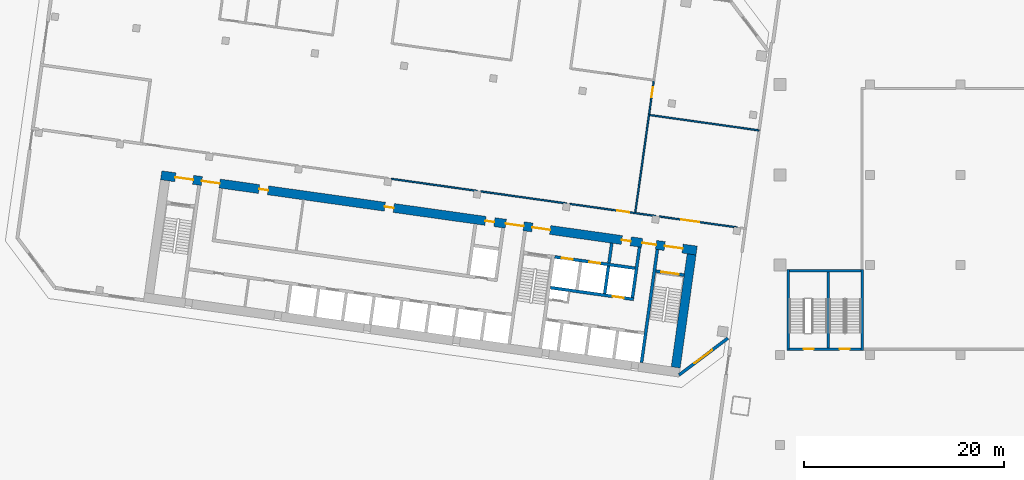
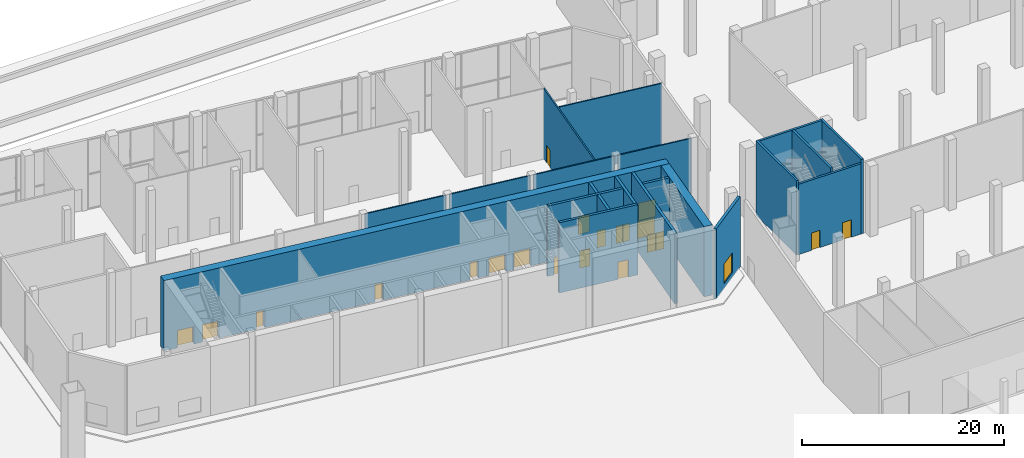
# One storey, part 20 of 34: 21 walls, 19 doors, 1 window, 20 openings.
"""IFC4 building model written with IfcOpenShell, lengths in metres."""

from ifc_helpers import new_model, si_unit, direction, frame, frame_2d, origin, place, context, subcontext, project, spatial, rectangle, extrude, material, layer, layer_set, type_object, element, fill, save


model = new_model("IFC4")

# Units and contexts
model_context = context("Model", 3, precision=1e-05, world=origin(), true_north=direction((0.0, 1.0)))
body_context = subcontext(model_context, "Body", "Model", "MODEL_VIEW")
ifc_project = project(units=[si_unit("LENGTHUNIT", "METRE"), si_unit("AREAUNIT", "SQUARE_METRE"), si_unit("VOLUMEUNIT", "CUBIC_METRE"), si_unit("PLANEANGLEUNIT", "RADIAN"), si_unit("MASSUNIT", "GRAM", prefix="KILO")], contexts=[model_context])

# Site, building, storey
site_placement = place(None, origin())
site = spatial("IfcSite", under=ifc_project, at=site_placement, CompositionType="ELEMENT")
building_placement = place(site_placement, origin())
building = spatial("IfcBuilding", under=site, at=building_placement, Name="Mirante Cascada Hotel Towers", CompositionType="ELEMENT")
storey_placement = place(building_placement, origin())
storey = spatial("IfcBuildingStorey", under=building, at=storey_placement, Name="L00", CompositionType="ELEMENT", Elevation=0.0)

# Wall
ifc_material_1 = material(Name="Masonry block", Category="masonry")
ifc_layer_1 = layer(ifc_material_1, 0.3)
ifc_layer_set_1 = layer_set([ifc_layer_1], Name="Core wall 300 block EI 120")
wall_type_1 = type_object("IfcWallType", Name="Core wall 300 block EI 120", PredefinedType="PARTITIONING", material=ifc_layer_set_1)
wall_1_placement = place(storey_placement, frame((-44.0843, -8.8061, 0.0), z_axis=(0.0, 0.0, 1.0), x_axis=(0.1391951, 0.990265, 0.0)))
element("IfcWall", 1, at=wall_1_placement, inside=storey, type_object=wall_type_1, Name="Core wall partition T1 L00 1", PredefinedType="PARTITIONING", context=body_context, shape_type="SweptSolid", body=[
    extrude(rectangle(XDim=2.0001, YDim=0.3, at=frame_2d((1.0001, 0.0))), origin(), (0.0, 0.0, 1.0), 8.5),
])

# Wall, opening, door
ifc_material_2 = material(Name="Masonry block", Category="masonry")
ifc_layer_2 = layer(ifc_material_2, 0.15)
ifc_layer_set_2 = layer_set([ifc_layer_2], Name="Corridor wall 150 block")
wall_type_2 = type_object("IfcWallType", Name="Corridor wall 150 block", PredefinedType="PARTITIONING", material=ifc_layer_set_2)
wall_2_placement = place(storey_placement, frame((-41.4547, -3.7478, 0.0), z_axis=(0.0, 0.0, 1.0), x_axis=(0.1391716, 0.9902683, 0.0)))
wall_2 = element("IfcWall", 2, at=wall_2_placement, inside=storey, type_object=wall_type_2, Name="Corridor wall T1 L00", PredefinedType="PARTITIONING", context=body_context, shape_type="SweptSolid", body=[
    extrude(rectangle(XDim=13.4, YDim=0.15, at=frame_2d((6.7, 0.0))), origin(), (0.0, 0.0, 1.0), 8.5),
])
opening_1_placement = place(wall_2_placement, frame((11.625, 0.0, 0.0)))
opening_1 = element("IfcOpeningElement", 3, at=opening_1_placement, cuts=wall_2, Name="Opening DP1-L00-04", PredefinedType="OPENING", context=body_context, shape_type="SweptSolid", body=[
    extrude(rectangle(XDim=1.0, YDim=2.1, at=frame_2d((0.5, 1.05))), frame((0.0, 0.075, 0.0), z_axis=(0.0, -1.0, 0.0), x_axis=(1.0, 0.0, 0.0)), (0.0, 0.0, 1.0), 0.15),
])
ifc_material_3 = material(Name="Timber door leaf", Category="wood")
door_type_1 = type_object("IfcDoorType", Name="Single door 1000x2100", OperationType="NOTDEFINED", PredefinedType="DOOR", material=ifc_material_3)
door_1_placement = place(opening_1_placement, frame((1.0, 0.0, 0.0), z_axis=(0.0, 0.0, 1.0), x_axis=(-1.0, 0.0, 0.0)))
door_1 = element("IfcDoor", 4, at=door_1_placement, inside=storey, type_object=door_type_1, Name="Door DP1-L00-04", OperationType="SINGLE_SWING_RIGHT", OverallHeight=2.1, OverallWidth=1.0, PredefinedType="DOOR", context=body_context, shape_type="SweptSolid", body=[
    extrude(rectangle(XDim=1.0, YDim=2.1, at=frame_2d((0.5, 1.05))), frame((0.0, 0.025, 0.0), z_axis=(0.0, -1.0, 0.0), x_axis=(1.0, 0.0, 0.0)), (0.0, 0.0, 1.0), 0.05),
])
fill(opening_1, door_1)

# Walls
ifc_material_4 = material(Name="Masonry block", Category="masonry")
ifc_layer_3 = layer(ifc_material_4, 0.15)
ifc_layer_set_3 = layer_set([ifc_layer_3], Name="Exit passage wall 150 block EI 120")
wall_type_3 = type_object("IfcWallType", Name="Exit passage wall 150 block EI 120", PredefinedType="PARTITIONING", material=ifc_layer_set_3)
wall_3_placement = place(storey_placement, frame((-65.8216, -0.399, 0.0), z_axis=(0.0, 0.0, 1.0), x_axis=(0.9902682, -0.139172, 0.0)))
element("IfcWall", 5, at=wall_3_placement, inside=storey, type_object=wall_type_3, Name="Exit passage wall T1 L00", PredefinedType="PARTITIONING", context=body_context, shape_type="SweptSolid", body=[
    extrude(rectangle(XDim=8.6713, YDim=0.15, at=frame_2d((4.3356, 0.0))), origin(), (0.0, 0.0, 1.0), 8.5),
])
wall_4_placement = place(storey_placement, frame((-56.9091, -1.6516, 0.0), z_axis=(0.0, 0.0, 1.0), x_axis=(0.990268, -0.1391735, 0.0)))
element("IfcWall", 6, at=wall_4_placement, inside=storey, type_object=wall_type_3, Name="Exit passage wall T1 L00", PredefinedType="PARTITIONING", context=body_context, shape_type="SweptSolid", body=[
    extrude(rectangle(XDim=8.6712, YDim=0.15, at=frame_2d((4.3356, 0.0))), origin(), (0.0, 0.0, 1.0), 8.5),
])

# Wall, opening, door
wall_5_placement = place(storey_placement, frame((-47.9967, -2.9041, 0.0), z_axis=(0.0, 0.0, 1.0), x_axis=(0.990268, -0.1391735, 0.0)))
wall_5 = element("IfcWall", 7, at=wall_5_placement, inside=storey, type_object=wall_type_3, Name="Exit passage wall T1 L00", PredefinedType="PARTITIONING", context=body_context, shape_type="SweptSolid", body=[
    extrude(rectangle(XDim=8.6712, YDim=0.15, at=frame_2d((4.3356, 0.0))), origin(), (0.0, 0.0, 1.0), 8.5),
])
opening_2_placement = place(wall_5_placement, frame((4.7958, 0.0, 0.0)))
opening_2 = element("IfcOpeningElement", 8, at=opening_2_placement, cuts=wall_5, Name="Opening DP1-L00-01", PredefinedType="OPENING", context=body_context, shape_type="SweptSolid", body=[
    extrude(rectangle(XDim=1.2, YDim=2.1, at=frame_2d((0.6, 1.05))), frame((0.0, 0.075, 0.0), z_axis=(0.0, -1.0, 0.0), x_axis=(1.0, 0.0, 0.0)), (0.0, 0.0, 1.0), 0.15),
])
ifc_material_5 = material(Name="Hollow metal fire door leaf")
door_type_2 = type_object("IfcDoorType", Name="Fire door 1200x2100 FD60", OperationType="NOTDEFINED", PredefinedType="DOOR", material=ifc_material_5)
door_2_placement = place(opening_2_placement, frame((1.2, 0.0, 0.0), z_axis=(0.0, 0.0, 1.0), x_axis=(-1.0, 0.0, 0.0)))
door_2 = element("IfcDoor", 9, at=door_2_placement, inside=storey, type_object=door_type_2, Name="Door DP1-L00-01", OperationType="SINGLE_SWING_LEFT", OverallHeight=2.1, OverallWidth=1.2, PredefinedType="DOOR", context=body_context, shape_type="SweptSolid", body=[
    extrude(rectangle(XDim=1.2, YDim=2.1, at=frame_2d((0.6, 1.05))), frame((0.0, 0.025, 0.0), z_axis=(0.0, -1.0, 0.0), x_axis=(1.0, 0.0, 0.0)), (0.0, 0.0, 1.0), 0.05),
])
fill(opening_2, door_2)

wall_6_placement = place(storey_placement, frame((-39.0843, -4.1567, 0.0), z_axis=(0.0, 0.0, 1.0), x_axis=(0.9902676, -0.1391764, 0.0)))
wall_6 = element("IfcWall", 10, at=wall_6_placement, inside=storey, type_object=wall_type_3, Name="Exit passage wall T1 L00", PredefinedType="PARTITIONING", context=body_context, shape_type="SweptSolid", body=[
    extrude(rectangle(XDim=7.8713, YDim=0.15, at=frame_2d((3.9356, 0.0))), origin(), (0.0, 0.0, 1.0), 8.5),
])
opening_3_placement = place(wall_6_placement, frame((2.2458, 0.0, 0.0)))
opening_3 = element("IfcOpeningElement", 11, at=opening_3_placement, cuts=wall_6, Name="Opening DP1-L00-03", PredefinedType="OPENING", context=body_context, shape_type="SweptSolid", body=[
    extrude(rectangle(XDim=1.8, YDim=2.1, at=frame_2d((0.9, 1.05))), frame((0.0, 0.075, 0.0), z_axis=(0.0, -1.0, 0.0), x_axis=(1.0, 0.0, 0.0)), (0.0, 0.0, 1.0), 0.15),
])
ifc_material_6 = material(Name="Hollow metal fire door leaf")
door_type_3 = type_object("IfcDoorType", Name="Double door 1800x2100 FD60", OperationType="DOUBLE_DOOR_SINGLE_SWING", PredefinedType="DOOR", material=ifc_material_6)
door_3_placement = place(opening_3_placement, origin())
door_3 = element("IfcDoor", 12, at=door_3_placement, inside=storey, type_object=door_type_3, Name="Door DP1-L00-03", OperationType="DOUBLE_DOOR_SINGLE_SWING", OverallHeight=2.1, OverallWidth=1.8, PredefinedType="DOOR", context=body_context, shape_type="SweptSolid", body=[
    extrude(rectangle(XDim=0.895, YDim=2.1, at=frame_2d((0.4475, 1.05))), frame((0.0, 0.025, 0.0), z_axis=(0.0, -1.0, 0.0), x_axis=(1.0, 0.0, 0.0)), (0.0, 0.0, 1.0), 0.05),
    extrude(rectangle(XDim=0.895, YDim=2.1, at=frame_2d((1.3525, 1.05))), frame((0.0, 0.025, 0.0), z_axis=(0.0, -1.0, 0.0), x_axis=(1.0, 0.0, 0.0)), (0.0, 0.0, 1.0), 0.05),
])
fill(opening_3, door_3)

# Wall
ifc_material_7 = material(Name="Masonry block", Category="masonry")
ifc_layer_4 = layer(ifc_material_7, 0.15)
ifc_layer_set_4 = layer_set([ifc_layer_4], Name="Partition 150 block")
wall_type_4 = type_object("IfcWallType", Name="Partition 150 block", PredefinedType="PARTITIONING", material=ifc_layer_set_4)
wall_7_placement = place(storey_placement, frame((-40.0131, 5.9711, 0.0), z_axis=(0.0, 0.0, 1.0), x_axis=(0.9902679, -0.1391746, 0.0)))
element("IfcWall", 13, at=wall_7_placement, inside=storey, type_object=wall_type_4, Name="Partition T1 L00", PredefinedType="PARTITIONING", context=body_context, shape_type="SweptSolid", body=[
    extrude(rectangle(XDim=11.025, YDim=0.15, at=frame_2d((5.5125, 0.0))), origin(), (0.0, 0.0, 1.0), 8.5),
])

# Wall, opening, window
ifc_material_8 = material(Name="Precast concrete C40/50", Category="concrete")
ifc_layer_5 = layer(ifc_material_8, 0.3)
ifc_layer_set_5 = layer_set([ifc_layer_5], Name="Precast concrete C40/50 cladding wall 300")
wall_type_5 = type_object("IfcWallType", Name="Precast concrete C40/50 cladding wall 300", PredefinedType="STANDARD", material=ifc_layer_set_5)
wall_8_placement = place(storey_placement, frame((-32.2074, -16.3138, 0.0), z_axis=(0.0, 0.0, 1.0), x_axis=(-0.7986362, -0.6018141, 0.0)))
wall_8 = element("IfcWall", 14, at=wall_8_placement, inside=storey, type_object=wall_type_5, Name="Corner cladding wall T1 L00 inner rear", PredefinedType="STANDARD", context=body_context, shape_type="SweptSolid", body=[
    extrude(rectangle(XDim=6.1157, YDim=0.3, at=frame_2d((3.0578, 0.0))), origin(), (0.0, 0.0, 1.0), 8.5),
])
opening_4_placement = place(wall_8_placement, frame((1.9578, 0.0, 0.6)))
opening_4 = element("IfcOpeningElement", 15, at=opening_4_placement, cuts=wall_8, Name="Opening W1-00-05", PredefinedType="OPENING", context=body_context, shape_type="SweptSolid", body=[
    extrude(rectangle(XDim=2.2, YDim=2.4, at=frame_2d((1.1, 1.2))), frame((0.0, 0.15, 0.0), z_axis=(0.0, -1.0, 0.0), x_axis=(1.0, 0.0, 0.0)), (0.0, 0.0, 1.0), 0.3),
])
ifc_material_9 = material(Name="Aluminium frame with clear double glazing", Category="aluminium")
window_type = type_object("IfcWindowType", Name="Corner suite window 2200x2400", PartitioningType="DOUBLE_PANEL_VERTICAL", PredefinedType="WINDOW", material=ifc_material_9)
window_placement = place(opening_4_placement, origin())
window = element("IfcWindow", 16, at=window_placement, inside=storey, type_object=window_type, Name="Window W1-00-05", OverallHeight=2.4, OverallWidth=2.2, PartitioningType="SINGLE_PANEL", PredefinedType="WINDOW", context=body_context, shape_type="SweptSolid", body=[
    extrude(rectangle(XDim=2.2, YDim=2.4, at=frame_2d((1.1, 1.2))), frame((0.0, 0.03, 0.0), z_axis=(0.0, -1.0, 0.0), x_axis=(1.0, 0.0, 0.0)), (0.0, 0.0, 1.0), 0.06),
])
fill(opening_4, window)

# Wall
ifc_material_10 = material(Name="Concrete C50/60", Category="concrete")
ifc_layer_6 = layer(ifc_material_10, 0.3)
ifc_layer_set_6 = layer_set([ifc_layer_6], Name="RC core wall 300 C50/60")
wall_type_6 = type_object("IfcWallType", Name="RC core wall 300 C50/60", PredefinedType="SHEAR", material=ifc_layer_set_6)
wall_9_placement = place(storey_placement, frame((-40.8373, -18.7548, 0.0), z_axis=(0.0, 0.0, 1.0), x_axis=(0.1391749, 0.9902678, 0.0)))
element("IfcWall", 17, at=wall_9_placement, inside=storey, type_object=wall_type_6, Name="Core wall T1:L00:5", PredefinedType="SHEAR", context=body_context, shape_type="SweptSolid", body=[
    extrude(rectangle(XDim=11.4, YDim=0.3, at=frame_2d((5.7, 0.0))), origin(), (0.0, 0.0, 1.0), 8.5),
])

# Wall, opening, door
wall_10_placement = place(storey_placement, frame((-36.5791, -10.0123, 0.0), z_axis=(0.0, 0.0, 1.0), x_axis=(-0.9902704, 0.1391564, 0.0)))
wall_10 = element("IfcWall", 18, at=wall_10_placement, inside=storey, type_object=wall_type_6, Name="Core wall T1:L00:9", PredefinedType="SHEAR", context=body_context, shape_type="SweptSolid", body=[
    extrude(rectangle(XDim=2.85, YDim=0.3, at=frame_2d((1.425, 0.0))), origin(), (0.0, 0.0, 1.0), 8.5),
])
opening_5_placement = place(wall_10_placement, frame((0.525, 0.0, 0.0)))
opening_5 = element("IfcOpeningElement", 19, at=opening_5_placement, cuts=wall_10, Name="Opening D1-00-C16", PredefinedType="OPENING", context=body_context, shape_type="SweptSolid", body=[
    extrude(rectangle(XDim=1.8, YDim=2.1, at=frame_2d((0.9, 1.05))), frame((0.0, 0.15, 0.0), z_axis=(0.0, -1.0, 0.0), x_axis=(1.0, 0.0, 0.0)), (0.0, 0.0, 1.0), 0.3),
])
ifc_material_11 = material(Name="Hollow metal fire door leaf")
door_type_4 = type_object("IfcDoorType", Name="Double fire door 1800x2100 FD60", OperationType="DOUBLE_DOOR_SINGLE_SWING", PredefinedType="DOOR", material=ifc_material_11)
door_4_placement = place(opening_5_placement, origin())
door_4 = element("IfcDoor", 20, at=door_4_placement, inside=storey, type_object=door_type_4, Name="Stair door T1 L00 16", OperationType="DOUBLE_DOOR_SINGLE_SWING", OverallHeight=2.1, OverallWidth=1.8, PredefinedType="DOOR", context=body_context, shape_type="SweptSolid", body=[
    extrude(rectangle(XDim=0.895, YDim=2.1, at=frame_2d((0.4475, 1.05))), frame((0.0, 0.025, 0.0), z_axis=(0.0, -1.0, 0.0), x_axis=(1.0, 0.0, 0.0)), (0.0, 0.0, 1.0), 0.05),
    extrude(rectangle(XDim=0.895, YDim=2.1, at=frame_2d((1.3525, 1.05))), frame((0.0, 0.025, 0.0), z_axis=(0.0, -1.0, 0.0), x_axis=(1.0, 0.0, 0.0)), (0.0, 0.0, 1.0), 0.05),
])
fill(opening_5, door_4)

wall_11_placement = place(storey_placement, frame((-41.6153, -12.435, 0.0), z_axis=(0.0, 0.0, 1.0), x_axis=(-0.9902691, 0.139166, 0.0)))
wall_11 = element("IfcWall", 21, at=wall_11_placement, inside=storey, type_object=wall_type_6, Name="Core wall T1:L00:13", PredefinedType="SHEAR", context=body_context, shape_type="SweptSolid", body=[
    extrude(rectangle(XDim=8.4, YDim=0.3, at=frame_2d((4.2, 0.0))), origin(), (0.0, 0.0, 1.0), 8.5),
])
opening_6_placement = place(wall_11_placement, frame((1.0, 0.0, 0.0)))
opening_6 = element("IfcOpeningElement", 22, at=opening_6_placement, cuts=wall_11, Name="Opening LD", PredefinedType="OPENING", context=body_context, shape_type="SweptSolid", body=[
    extrude(rectangle(XDim=1.1, YDim=2.1, at=frame_2d((0.55, 1.05))), frame((0.0, 0.15, 0.0), z_axis=(0.0, -1.0, 0.0), x_axis=(1.0, 0.0, 0.0)), (0.0, 0.0, 1.0), 0.3),
])
ifc_material_12 = material(Name="Stainless steel", Category="steel")
door_type_5 = type_object("IfcDoorType", Name="Lift landing door 1100x2100 EI 120", OperationType="DOUBLE_DOOR_SLIDING", PredefinedType="DOOR", material=ifc_material_12)
door_5_placement = place(opening_6_placement, origin())
door_5 = element("IfcDoor", 23, at=door_5_placement, inside=storey, type_object=door_type_5, Name="Lift landing door HR1-4 L00", OperationType="DOUBLE_DOOR_SLIDING", OverallHeight=2.1, OverallWidth=1.1, PredefinedType="DOOR", context=body_context, shape_type="SweptSolid", body=[
    extrude(rectangle(XDim=0.545, YDim=2.1, at=frame_2d((0.2725, 1.05))), frame((0.0, 0.025, 0.0), z_axis=(0.0, -1.0, 0.0), x_axis=(1.0, 0.0, 0.0)), (0.0, 0.0, 1.0), 0.05),
    extrude(rectangle(XDim=0.545, YDim=2.1, at=frame_2d((0.8275, 1.05))), frame((0.0, 0.025, 0.0), z_axis=(0.0, -1.0, 0.0), x_axis=(1.0, 0.0, 0.0)), (0.0, 0.0, 1.0), 0.05),
])
fill(opening_6, door_5)

# Wall, openings, doors
wall_12_placement = place(storey_placement, frame((-41.481, -9.3234, 0.0), z_axis=(0.0, 0.0, 1.0), x_axis=(-0.9902679, 0.1391741, 0.0)))
wall_12 = element("IfcWall", 24, at=wall_12_placement, inside=storey, type_object=wall_type_6, Name="Core wall T1:L00:14", PredefinedType="SHEAR", context=body_context, shape_type="SweptSolid", body=[
    extrude(rectangle(XDim=8.0999, YDim=0.3, at=frame_2d((4.05, 0.0))), origin(), (0.0, 0.0, 1.0), 8.5),
])
opening_7_placement = place(wall_12_placement, frame((3.5, 0.0, 0.0)))
opening_7 = element("IfcOpeningElement", 25, at=opening_7_placement, cuts=wall_12, Name="Opening LD", PredefinedType="OPENING", context=body_context, shape_type="SweptSolid", body=[
    extrude(rectangle(XDim=1.1, YDim=2.1, at=frame_2d((0.55, 1.05))), frame((0.0, 0.15, 0.0), z_axis=(0.0, -1.0, 0.0), x_axis=(1.0, 0.0, 0.0)), (0.0, 0.0, 1.0), 0.3),
])
opening_8_placement = place(wall_12_placement, frame((6.3, 0.0, 0.0)))
opening_8 = element("IfcOpeningElement", 26, at=opening_8_placement, cuts=wall_12, Name="Opening LD", PredefinedType="OPENING", context=body_context, shape_type="SweptSolid", body=[
    extrude(rectangle(XDim=1.1, YDim=2.1, at=frame_2d((0.55, 1.05))), frame((0.0, 0.15, 0.0), z_axis=(0.0, -1.0, 0.0), x_axis=(1.0, 0.0, 0.0)), (0.0, 0.0, 1.0), 0.3),
])
door_6_placement = place(opening_7_placement, origin())
door_6 = element("IfcDoor", 27, at=door_6_placement, inside=storey, type_object=door_type_5, Name="Lift landing door FF1 L00", OperationType="DOUBLE_DOOR_SLIDING", OverallHeight=2.1, OverallWidth=1.1, PredefinedType="DOOR", context=body_context, shape_type="SweptSolid", body=[
    extrude(rectangle(XDim=0.545, YDim=2.1, at=frame_2d((0.2725, 1.05))), frame((0.0, 0.025, 0.0), z_axis=(0.0, -1.0, 0.0), x_axis=(1.0, 0.0, 0.0)), (0.0, 0.0, 1.0), 0.05),
    extrude(rectangle(XDim=0.545, YDim=2.1, at=frame_2d((0.8275, 1.05))), frame((0.0, 0.025, 0.0), z_axis=(0.0, -1.0, 0.0), x_axis=(1.0, 0.0, 0.0)), (0.0, 0.0, 1.0), 0.05),
])
fill(opening_7, door_6)
door_7_placement = place(opening_8_placement, origin())
door_7 = element("IfcDoor", 28, at=door_7_placement, inside=storey, type_object=door_type_5, Name="Lift landing door FF2 L00", OperationType="DOUBLE_DOOR_SLIDING", OverallHeight=2.1, OverallWidth=1.1, PredefinedType="DOOR", context=body_context, shape_type="SweptSolid", body=[
    extrude(rectangle(XDim=0.545, YDim=2.1, at=frame_2d((0.2725, 1.05))), frame((0.0, 0.025, 0.0), z_axis=(0.0, -1.0, 0.0), x_axis=(1.0, 0.0, 0.0)), (0.0, 0.0, 1.0), 0.05),
    extrude(rectangle(XDim=0.545, YDim=2.1, at=frame_2d((0.8275, 1.05))), frame((0.0, 0.025, 0.0), z_axis=(0.0, -1.0, 0.0), x_axis=(1.0, 0.0, 0.0)), (0.0, 0.0, 1.0), 0.05),
])
fill(opening_8, door_7)

# Walls
wall_13_placement = place(storey_placement, frame((-44.5157, -11.8759, 0.0), z_axis=(0.0, 0.0, 1.0), x_axis=(0.139181, 0.990267, 0.0)))
element("IfcWall", 29, at=wall_13_placement, inside=storey, type_object=wall_type_6, Name="Core wall T1:L00:18", PredefinedType="SHEAR", context=body_context, shape_type="SweptSolid", body=[
    extrude(rectangle(XDim=2.8, YDim=0.3, at=frame_2d((1.4, 0.0))), origin(), (0.0, 0.0, 1.0), 8.5),
])
wall_14_placement = place(storey_placement, frame((-41.743, -12.2656, 0.0), z_axis=(0.0, 0.0, 1.0), x_axis=(0.1391755, 0.9902677, 0.0)))
element("IfcWall", 30, at=wall_14_placement, inside=storey, type_object=wall_type_6, Name="Core wall T1:L00:20", PredefinedType="SHEAR", context=body_context, shape_type="SweptSolid", body=[
    extrude(rectangle(XDim=5.1, YDim=0.3, at=frame_2d((2.55, 0.0))), origin(), (0.0, 0.0, 1.0), 8.5),
])

# Wall, openings, doors
ifc_material_13 = material(Name="Concrete C50/60", Category="concrete")
ifc_layer_7 = layer(ifc_material_13, 0.9)
ifc_layer_set_7 = layer_set([ifc_layer_7], Name="RC core wall 900 C50/60")
wall_type_7 = type_object("IfcWallType", Name="RC core wall 900 C50/60", PredefinedType="SHEAR", material=ifc_layer_set_7)
wall_15_placement = place(storey_placement, frame((-35.326, -7.5629, 0.0), z_axis=(0.0, 0.0, 1.0), x_axis=(-0.9902679, 0.139174, 0.0)))
wall_15 = element("IfcWall", 31, at=wall_15_placement, inside=storey, type_object=wall_type_7, Name="Core wall T1:L00:2", PredefinedType="SHEAR", context=body_context, shape_type="SweptSolid", body=[
    extrude(rectangle(XDim=54.0, YDim=0.9, at=frame_2d((27.0, 0.0))), origin(), (0.0, 0.0, 1.0), 8.5),
])
opening_9_placement = place(wall_15_placement, frame((1.425, 0.0, 0.0)))
opening_9 = element("IfcOpeningElement", 32, at=opening_9_placement, cuts=wall_15, Name="Opening D1-00-C17", PredefinedType="OPENING", context=body_context, shape_type="SweptSolid", body=[
    extrude(rectangle(XDim=1.8, YDim=2.1, at=frame_2d((0.9, 1.05))), frame((0.0, 0.45, 0.0), z_axis=(0.0, -1.0, 0.0), x_axis=(1.0, 0.0, 0.0)), (0.0, 0.0, 1.0), 0.9),
])
opening_10_placement = place(wall_15_placement, frame((14.775, 0.0, 0.0)))
opening_10 = element("IfcOpeningElement", 33, at=opening_10_placement, cuts=wall_15, Name="Opening D1-00-C19", PredefinedType="OPENING", context=body_context, shape_type="SweptSolid", body=[
    extrude(rectangle(XDim=1.8, YDim=2.1, at=frame_2d((0.9, 1.05))), frame((0.0, 0.45, 0.0), z_axis=(0.0, -1.0, 0.0), x_axis=(1.0, 0.0, 0.0)), (0.0, 0.0, 1.0), 0.9),
])
opening_11_placement = place(wall_15_placement, frame((50.775, 0.0, 0.0)))
opening_11 = element("IfcOpeningElement", 34, at=opening_11_placement, cuts=wall_15, Name="Opening D1-00-C21", PredefinedType="OPENING", context=body_context, shape_type="SweptSolid", body=[
    extrude(rectangle(XDim=1.8, YDim=2.1, at=frame_2d((0.9, 1.05))), frame((0.0, 0.45, 0.0), z_axis=(0.0, -1.0, 0.0), x_axis=(1.0, 0.0, 0.0)), (0.0, 0.0, 1.0), 0.9),
])
opening_12_placement = place(wall_15_placement, frame((4.1, 0.0, 0.0)))
opening_12 = element("IfcOpeningElement", 35, at=opening_12_placement, cuts=wall_15, Name="Opening D1-00-C22", PredefinedType="OPENING", context=body_context, shape_type="SweptSolid", body=[
    extrude(rectangle(XDim=1.4, YDim=2.1, at=frame_2d((0.7, 1.05))), frame((0.0, 0.45, 0.0), z_axis=(0.0, -1.0, 0.0), x_axis=(1.0, 0.0, 0.0)), (0.0, 0.0, 1.0), 0.9),
])
opening_13_placement = place(wall_15_placement, frame((17.45, 0.0, 0.0)))
opening_13 = element("IfcOpeningElement", 36, at=opening_13_placement, cuts=wall_15, Name="Opening D1-00-C23", PredefinedType="OPENING", context=body_context, shape_type="SweptSolid", body=[
    extrude(rectangle(XDim=1.8, YDim=2.1, at=frame_2d((0.9, 1.05))), frame((0.0, 0.45, 0.0), z_axis=(0.0, -1.0, 0.0), x_axis=(1.0, 0.0, 0.0)), (0.0, 0.0, 1.0), 0.9),
])
opening_14_placement = place(wall_15_placement, frame((48.1, 0.0, 0.0)))
opening_14 = element("IfcOpeningElement", 37, at=opening_14_placement, cuts=wall_15, Name="Opening D1-00-C24", PredefinedType="OPENING", context=body_context, shape_type="SweptSolid", body=[
    extrude(rectangle(XDim=1.8, YDim=2.1, at=frame_2d((0.9, 1.05))), frame((0.0, 0.45, 0.0), z_axis=(0.0, -1.0, 0.0), x_axis=(1.0, 0.0, 0.0)), (0.0, 0.0, 1.0), 0.9),
])
opening_15_placement = place(wall_15_placement, frame((6.65, 0.0, 0.0)))
opening_15 = element("IfcOpeningElement", 38, at=opening_15_placement, cuts=wall_15, Name="Opening D1-00-C27", PredefinedType="OPENING", context=body_context, shape_type="SweptSolid", body=[
    extrude(rectangle(XDim=0.9, YDim=2.1, at=frame_2d((0.45, 1.05))), frame((0.0, 0.45, 0.0), z_axis=(0.0, -1.0, 0.0), x_axis=(1.0, 0.0, 0.0)), (0.0, 0.0, 1.0), 0.9),
])
opening_16_placement = place(wall_15_placement, frame((20.4, 0.0, 0.0)))
opening_16 = element("IfcOpeningElement", 39, at=opening_16_placement, cuts=wall_15, Name="Opening D1-00-C30", PredefinedType="OPENING", context=body_context, shape_type="SweptSolid", body=[
    extrude(rectangle(XDim=0.9, YDim=2.1, at=frame_2d((0.45, 1.05))), frame((0.0, 0.45, 0.0), z_axis=(0.0, -1.0, 0.0), x_axis=(1.0, 0.0, 0.0)), (0.0, 0.0, 1.0), 0.9),
])
opening_17_placement = place(wall_15_placement, frame((30.55, 0.0, 0.0)))
opening_17 = element("IfcOpeningElement", 40, at=opening_17_placement, cuts=wall_15, Name="Opening D1-00-C31", PredefinedType="OPENING", context=body_context, shape_type="SweptSolid", body=[
    extrude(rectangle(XDim=0.9, YDim=2.1, at=frame_2d((0.45, 1.05))), frame((0.0, 0.45, 0.0), z_axis=(0.0, -1.0, 0.0), x_axis=(1.0, 0.0, 0.0)), (0.0, 0.0, 1.0), 0.9),
])
opening_18_placement = place(wall_15_placement, frame((43.225, 0.0, 0.0)))
opening_18 = element("IfcOpeningElement", 41, at=opening_18_placement, cuts=wall_15, Name="Opening D1-00-C32", PredefinedType="OPENING", context=body_context, shape_type="SweptSolid", body=[
    extrude(rectangle(XDim=0.9, YDim=2.1, at=frame_2d((0.45, 1.05))), frame((0.0, 0.45, 0.0), z_axis=(0.0, -1.0, 0.0), x_axis=(1.0, 0.0, 0.0)), (0.0, 0.0, 1.0), 0.9),
])
ifc_material_14 = material(Name="Hollow metal fire door leaf")
door_type_6 = type_object("IfcDoorType", Name="Double fire door 1400x2100 FD60", OperationType="DOUBLE_DOOR_SINGLE_SWING", PredefinedType="DOOR", material=ifc_material_14)
door_8_placement = place(opening_12_placement, frame((1.4, 0.0, 0.0), z_axis=(0.0, 0.0, 1.0), x_axis=(-1.0, 0.0, 0.0)))
door_8 = element("IfcDoor", 42, at=door_8_placement, inside=storey, type_object=door_type_6, Name="Exit door to gallery T1 L00 22", OperationType="DOUBLE_DOOR_SINGLE_SWING", OverallHeight=2.1, OverallWidth=1.4, PredefinedType="DOOR", context=body_context, shape_type="SweptSolid", body=[
    extrude(rectangle(XDim=0.695, YDim=2.1, at=frame_2d((0.3475, 1.05))), frame((0.0, 0.025, 0.0), z_axis=(0.0, -1.0, 0.0), x_axis=(1.0, 0.0, 0.0)), (0.0, 0.0, 1.0), 0.05),
    extrude(rectangle(XDim=0.695, YDim=2.1, at=frame_2d((1.0525, 1.05))), frame((0.0, 0.025, 0.0), z_axis=(0.0, -1.0, 0.0), x_axis=(1.0, 0.0, 0.0)), (0.0, 0.0, 1.0), 0.05),
])
fill(opening_12, door_8)
door_9_placement = place(opening_9_placement, origin())
door_9 = element("IfcDoor", 43, at=door_9_placement, inside=storey, type_object=door_type_4, Name="Exit door to gallery T1 L00 17", OperationType="DOUBLE_DOOR_SINGLE_SWING", OverallHeight=2.1, OverallWidth=1.8, PredefinedType="DOOR", context=body_context, shape_type="SweptSolid", body=[
    extrude(rectangle(XDim=0.895, YDim=2.1, at=frame_2d((0.4475, 1.05))), frame((0.0, 0.025, 0.0), z_axis=(0.0, -1.0, 0.0), x_axis=(1.0, 0.0, 0.0)), (0.0, 0.0, 1.0), 0.05),
    extrude(rectangle(XDim=0.895, YDim=2.1, at=frame_2d((1.3525, 1.05))), frame((0.0, 0.025, 0.0), z_axis=(0.0, -1.0, 0.0), x_axis=(1.0, 0.0, 0.0)), (0.0, 0.0, 1.0), 0.05),
])
fill(opening_9, door_9)
door_10_placement = place(opening_10_placement, origin())
door_10 = element("IfcDoor", 44, at=door_10_placement, inside=storey, type_object=door_type_4, Name="Exit door to gallery T1 L00 19", OperationType="DOUBLE_DOOR_SINGLE_SWING", OverallHeight=2.1, OverallWidth=1.8, PredefinedType="DOOR", context=body_context, shape_type="SweptSolid", body=[
    extrude(rectangle(XDim=0.895, YDim=2.1, at=frame_2d((0.4475, 1.05))), frame((0.0, 0.025, 0.0), z_axis=(0.0, -1.0, 0.0), x_axis=(1.0, 0.0, 0.0)), (0.0, 0.0, 1.0), 0.05),
    extrude(rectangle(XDim=0.895, YDim=2.1, at=frame_2d((1.3525, 1.05))), frame((0.0, 0.025, 0.0), z_axis=(0.0, -1.0, 0.0), x_axis=(1.0, 0.0, 0.0)), (0.0, 0.0, 1.0), 0.05),
])
fill(opening_10, door_10)
door_11_placement = place(opening_11_placement, origin())
door_11 = element("IfcDoor", 45, at=door_11_placement, inside=storey, type_object=door_type_4, Name="Exit door to gallery T1 L00 21", OperationType="DOUBLE_DOOR_SINGLE_SWING", OverallHeight=2.1, OverallWidth=1.8, PredefinedType="DOOR", context=body_context, shape_type="SweptSolid", body=[
    extrude(rectangle(XDim=0.895, YDim=2.1, at=frame_2d((0.4475, 1.05))), frame((0.0, 0.025, 0.0), z_axis=(0.0, -1.0, 0.0), x_axis=(1.0, 0.0, 0.0)), (0.0, 0.0, 1.0), 0.05),
    extrude(rectangle(XDim=0.895, YDim=2.1, at=frame_2d((1.3525, 1.05))), frame((0.0, 0.025, 0.0), z_axis=(0.0, -1.0, 0.0), x_axis=(1.0, 0.0, 0.0)), (0.0, 0.0, 1.0), 0.05),
])
fill(opening_11, door_11)
door_12_placement = place(opening_13_placement, frame((1.8, 0.0, 0.0), z_axis=(0.0, 0.0, 1.0), x_axis=(-1.0, 0.0, 0.0)))
door_12 = element("IfcDoor", 46, at=door_12_placement, inside=storey, type_object=door_type_4, Name="Exit door to gallery T1 L00 23", OperationType="DOUBLE_DOOR_SINGLE_SWING", OverallHeight=2.1, OverallWidth=1.8, PredefinedType="DOOR", context=body_context, shape_type="SweptSolid", body=[
    extrude(rectangle(XDim=0.895, YDim=2.1, at=frame_2d((0.4475, 1.05))), frame((0.0, 0.025, 0.0), z_axis=(0.0, -1.0, 0.0), x_axis=(1.0, 0.0, 0.0)), (0.0, 0.0, 1.0), 0.05),
    extrude(rectangle(XDim=0.895, YDim=2.1, at=frame_2d((1.3525, 1.05))), frame((0.0, 0.025, 0.0), z_axis=(0.0, -1.0, 0.0), x_axis=(1.0, 0.0, 0.0)), (0.0, 0.0, 1.0), 0.05),
])
fill(opening_13, door_12)
door_13_placement = place(opening_14_placement, frame((1.8, 0.0, 0.0), z_axis=(0.0, 0.0, 1.0), x_axis=(-1.0, 0.0, 0.0)))
door_13 = element("IfcDoor", 47, at=door_13_placement, inside=storey, type_object=door_type_4, Name="Exit door to gallery T1 L00 24", OperationType="DOUBLE_DOOR_SINGLE_SWING", OverallHeight=2.1, OverallWidth=1.8, PredefinedType="DOOR", context=body_context, shape_type="SweptSolid", body=[
    extrude(rectangle(XDim=0.895, YDim=2.1, at=frame_2d((0.4475, 1.05))), frame((0.0, 0.025, 0.0), z_axis=(0.0, -1.0, 0.0), x_axis=(1.0, 0.0, 0.0)), (0.0, 0.0, 1.0), 0.05),
    extrude(rectangle(XDim=0.895, YDim=2.1, at=frame_2d((1.3525, 1.05))), frame((0.0, 0.025, 0.0), z_axis=(0.0, -1.0, 0.0), x_axis=(1.0, 0.0, 0.0)), (0.0, 0.0, 1.0), 0.05),
])
fill(opening_14, door_13)
ifc_material_15 = material(Name="Hollow metal fire door leaf")
door_type_7 = type_object("IfcDoorType", Name="Fire door 900x2100 FD60", OperationType="NOTDEFINED", PredefinedType="DOOR", material=ifc_material_15)
door_14_placement = place(opening_15_placement, origin())
door_14 = element("IfcDoor", 48, at=door_14_placement, inside=storey, type_object=door_type_7, Name="Room door T1 L00 27", OperationType="SINGLE_SWING_RIGHT", OverallHeight=2.1, OverallWidth=0.9, PredefinedType="DOOR", context=body_context, shape_type="SweptSolid", body=[
    extrude(rectangle(XDim=0.9, YDim=2.1, at=frame_2d((0.45, 1.05))), frame((0.0, 0.025, 0.0), z_axis=(0.0, -1.0, 0.0), x_axis=(1.0, 0.0, 0.0)), (0.0, 0.0, 1.0), 0.05),
])
fill(opening_15, door_14)
door_15_placement = place(opening_16_placement, origin())
door_15 = element("IfcDoor", 49, at=door_15_placement, inside=storey, type_object=door_type_7, Name="Room door T1 L00 30", OperationType="SINGLE_SWING_RIGHT", OverallHeight=2.1, OverallWidth=0.9, PredefinedType="DOOR", context=body_context, shape_type="SweptSolid", body=[
    extrude(rectangle(XDim=0.9, YDim=2.1, at=frame_2d((0.45, 1.05))), frame((0.0, 0.025, 0.0), z_axis=(0.0, -1.0, 0.0), x_axis=(1.0, 0.0, 0.0)), (0.0, 0.0, 1.0), 0.05),
])
fill(opening_16, door_15)
door_16_placement = place(opening_17_placement, origin())
door_16 = element("IfcDoor", 50, at=door_16_placement, inside=storey, type_object=door_type_7, Name="Room door T1 L00 31", OperationType="SINGLE_SWING_LEFT", OverallHeight=2.1, OverallWidth=0.9, PredefinedType="DOOR", context=body_context, shape_type="SweptSolid", body=[
    extrude(rectangle(XDim=0.9, YDim=2.1, at=frame_2d((0.45, 1.05))), frame((0.0, 0.025, 0.0), z_axis=(0.0, -1.0, 0.0), x_axis=(1.0, 0.0, 0.0)), (0.0, 0.0, 1.0), 0.05),
])
fill(opening_17, door_16)
door_17_placement = place(opening_18_placement, origin())
door_17 = element("IfcDoor", 51, at=door_17_placement, inside=storey, type_object=door_type_7, Name="Room door T1 L00 32", OperationType="SINGLE_SWING_LEFT", OverallHeight=2.1, OverallWidth=0.9, PredefinedType="DOOR", context=body_context, shape_type="SweptSolid", body=[
    extrude(rectangle(XDim=0.9, YDim=2.1, at=frame_2d((0.45, 1.05))), frame((0.0, 0.025, 0.0), z_axis=(0.0, -1.0, 0.0), x_axis=(1.0, 0.0, 0.0)), (0.0, 0.0, 1.0), 0.05),
])
fill(opening_18, door_17)

# Wall
wall_16_placement = place(storey_placement, frame((-37.4209, -19.2349, 0.0), z_axis=(0.0, 0.0, 1.0), x_axis=(0.1391761, 0.9902677, 0.0)))
element("IfcWall", 52, at=wall_16_placement, inside=storey, type_object=wall_type_7, Name="Core wall T1:L00:3", PredefinedType="SHEAR", context=body_context, shape_type="SweptSolid", body=[
    extrude(rectangle(XDim=11.3999, YDim=0.9, at=frame_2d((5.7, 0.0))), origin(), (0.0, 0.0, 1.0), 8.5),
])

# Wall, openings, doors
ifc_material_16 = material(Name="Concrete C35/45", Category="concrete")
ifc_layer_8 = layer(ifc_material_16, 0.25)
ifc_layer_set_8 = layer_set([ifc_layer_8], Name="Stair wall 250 concrete C35/45 EI 120")
wall_type_8 = type_object("IfcWallType", Name="Stair wall 250 concrete C35/45 EI 120", PredefinedType="STANDARD", material=ifc_layer_set_8)
wall_17_placement = place(storey_placement, frame((-26.085, -17.4, 0.0), z_axis=(0.0, 0.0, 1.0), x_axis=(1.0, 0.0, 0.0)))
wall_17 = element("IfcWall", 53, at=wall_17_placement, inside=storey, type_object=wall_type_8, Name="Stair wall P L00", PredefinedType="STANDARD", context=body_context, shape_type="SweptSolid", body=[
    extrude(rectangle(XDim=7.16, YDim=0.25, at=frame_2d((3.58, 0.0))), origin(), (0.0, 0.0, 1.0), 8.5),
])
opening_19_placement = place(wall_17_placement, frame((5.0225, 0.0, 0.0)))
opening_19 = element("IfcOpeningElement", 54, at=opening_19_placement, cuts=wall_17, Name="Opening DP-L00-04", PredefinedType="OPENING", context=body_context, shape_type="SweptSolid", body=[
    extrude(rectangle(XDim=1.0, YDim=2.1, at=frame_2d((0.5, 1.05))), frame((0.0, 0.125, 0.0), z_axis=(0.0, -1.0, 0.0), x_axis=(1.0, 0.0, 0.0)), (0.0, 0.0, 1.0), 0.25),
])
opening_20_placement = place(wall_17_placement, frame((1.4425, 0.0, 0.0)))
opening_20 = element("IfcOpeningElement", 55, at=opening_20_placement, cuts=wall_17, Name="Opening DP-L00-05", PredefinedType="OPENING", context=body_context, shape_type="SweptSolid", body=[
    extrude(rectangle(XDim=1.0, YDim=2.1, at=frame_2d((0.5, 1.05))), frame((0.0, 0.125, 0.0), z_axis=(0.0, -1.0, 0.0), x_axis=(1.0, 0.0, 0.0)), (0.0, 0.0, 1.0), 0.25),
])
ifc_material_17 = material(Name="Hollow metal fire door leaf")
door_type_8 = type_object("IfcDoorType", Name="Fire door 1000x2100 FD60", OperationType="NOTDEFINED", PredefinedType="DOOR", material=ifc_material_17)
door_18_placement = place(opening_19_placement, origin())
door_18 = element("IfcDoor", 56, at=door_18_placement, inside=storey, type_object=door_type_8, Name="Door DP-L00-04", OperationType="SINGLE_SWING_RIGHT", OverallHeight=2.1, OverallWidth=1.0, PredefinedType="DOOR", context=body_context, shape_type="SweptSolid", body=[
    extrude(rectangle(XDim=1.0, YDim=2.1, at=frame_2d((0.5, 1.05))), frame((0.0, 0.025, 0.0), z_axis=(0.0, -1.0, 0.0), x_axis=(1.0, 0.0, 0.0)), (0.0, 0.0, 1.0), 0.05),
])
fill(opening_19, door_18)
door_19_placement = place(opening_20_placement, origin())
door_19 = element("IfcDoor", 57, at=door_19_placement, inside=storey, type_object=door_type_8, Name="Door DP-L00-05", OperationType="SINGLE_SWING_LEFT", OverallHeight=2.1, OverallWidth=1.0, PredefinedType="DOOR", context=body_context, shape_type="SweptSolid", body=[
    extrude(rectangle(XDim=1.0, YDim=2.1, at=frame_2d((0.5, 1.05))), frame((0.0, 0.025, 0.0), z_axis=(0.0, -1.0, 0.0), x_axis=(1.0, 0.0, 0.0)), (0.0, 0.0, 1.0), 0.05),
])
fill(opening_20, door_19)

# Walls
wall_18_placement = place(storey_placement, frame((-26.075, -9.6, 0.0), z_axis=(0.0, 0.0, 1.0), x_axis=(1.0, 0.0, 0.0)))
element("IfcWall", 58, at=wall_18_placement, inside=storey, type_object=wall_type_8, Name="Stair wall P L00", PredefinedType="STANDARD", context=body_context, shape_type="SweptSolid", body=[
    extrude(rectangle(XDim=7.15, YDim=0.25, at=frame_2d((3.575, 0.0))), origin(), (0.0, 0.0, 1.0), 9.0),
])
wall_19_placement = place(storey_placement, frame((-18.8, -17.525, 0.0), z_axis=(0.0, 0.0, 1.0), x_axis=(0.0, 1.0, 0.0)))
element("IfcWall", 59, at=wall_19_placement, inside=storey, type_object=wall_type_8, Name="Stair wall P L00", PredefinedType="STANDARD", context=body_context, shape_type="SweptSolid", body=[
    extrude(rectangle(XDim=8.05, YDim=0.25, at=frame_2d((4.025, 0.0))), origin(), (0.0, 0.0, 1.0), 9.0),
])
wall_20_placement = place(storey_placement, frame((-22.2, -17.275, 0.0), z_axis=(0.0, 0.0, 1.0), x_axis=(0.0, 1.0, 0.0)))
element("IfcWall", 60, at=wall_20_placement, inside=storey, type_object=wall_type_8, Name="Stair wall P L00", PredefinedType="STANDARD", context=body_context, shape_type="SweptSolid", body=[
    extrude(rectangle(XDim=7.55, YDim=0.25, at=frame_2d((3.775, 0.0))), origin(), (0.0, 0.0, 1.0), 9.0),
])
wall_21_placement = place(storey_placement, frame((-26.2, -17.525, 0.0), z_axis=(0.0, 0.0, 1.0), x_axis=(0.0, 1.0, 0.0)))
element("IfcWall", 61, at=wall_21_placement, inside=storey, type_object=wall_type_8, Name="Stair wall P L00", PredefinedType="STANDARD", context=body_context, shape_type="SweptSolid", body=[
    extrude(rectangle(XDim=8.05, YDim=0.25, at=frame_2d((4.025, 0.0))), origin(), (0.0, 0.0, 1.0), 9.0),
])

save(model, "model.ifc")
